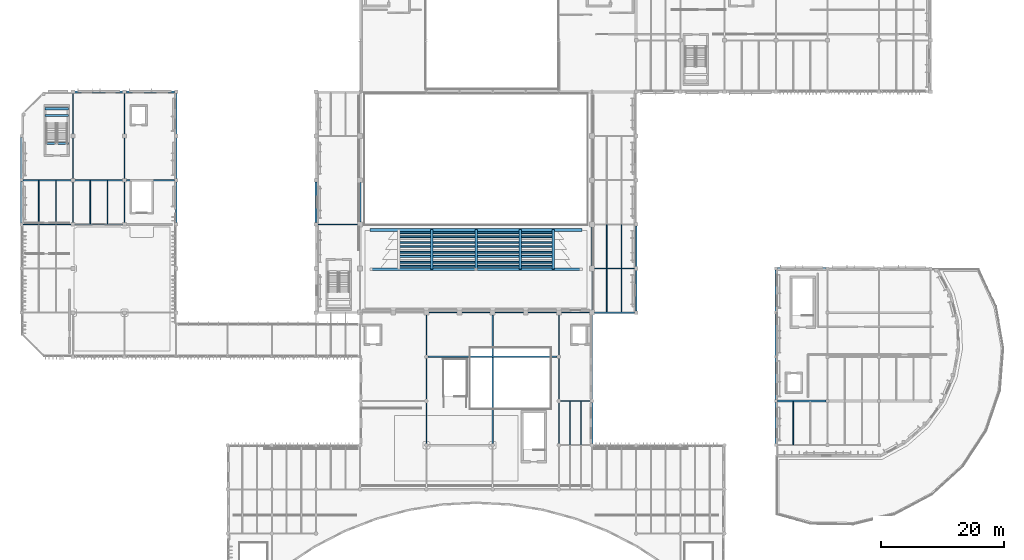
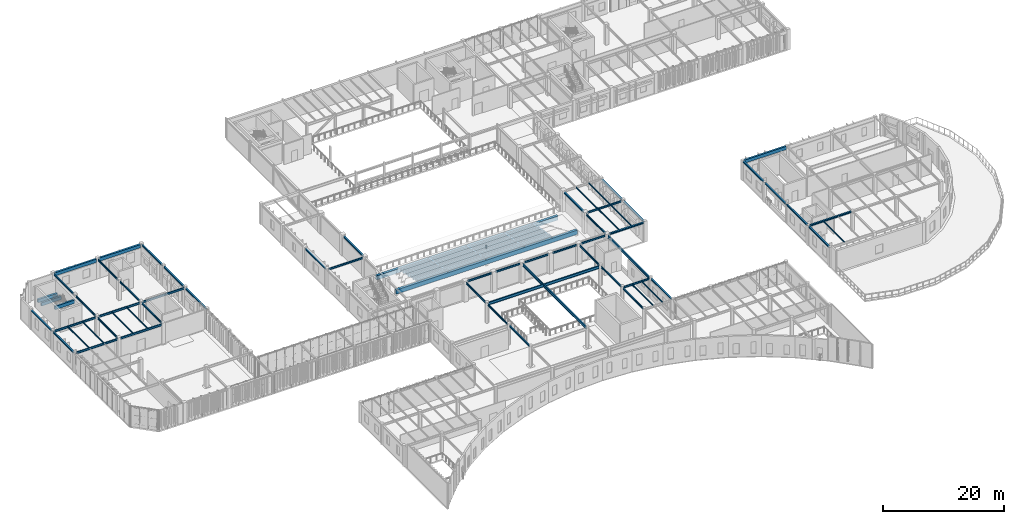
# One storey, part 13 of 104: 77 beams.
"""IFC4 building model written with IfcOpenShell, lengths in metres."""

from ifc_helpers import new_model, si_unit, direction, frame, origin, origin_2d, place, context, subcontext, project, spatial, rectangle, i_section, extrude, material, material_profile, profile_set, type_object, element, save


model = new_model("IFC4")

# Units and contexts
model_context = context("Model", 3, precision=1e-05, world=origin(), true_north=direction((0.0, 1.0)))
body_context = subcontext(model_context, "Body", "Model", "MODEL_VIEW")
ifc_project = project(units=[si_unit("LENGTHUNIT", "METRE"), si_unit("AREAUNIT", "SQUARE_METRE"), si_unit("VOLUMEUNIT", "CUBIC_METRE"), si_unit("PLANEANGLEUNIT", "RADIAN"), si_unit("MASSUNIT", "GRAM", prefix="KILO")], contexts=[model_context])

# Site, building, storey
site_placement = place(None, origin())
site = spatial("IfcSite", under=ifc_project, at=site_placement, CompositionType="ELEMENT")
building_placement = place(site_placement, origin())
building = spatial("IfcBuilding", under=site, at=building_placement, Name="Tazoul Stagehouse", CompositionType="ELEMENT")
storey_placement = place(building_placement, frame((0.0, 0.0, 9.0)))
storey = spatial("IfcBuildingStorey", under=building, at=storey_placement, Name="L02", CompositionType="ELEMENT", Elevation=9.0)

# Beams
ifc_material_1 = material(Name="Concrete C40/50", Category="concrete")
ifc_material_profile_1 = material_profile(ifc_material_1, rectangle(XDim=0.39990234375, YDim=0.75, at=origin_2d()), Name="RC 400x750")
ifc_profile_set_1 = profile_set([ifc_material_profile_1], Name="Concrete C40/50")
beam_type_1 = type_object("IfcBeamType", Name="RC Auditorium Raker Girder 400x750", PredefinedType="BEAM", material=ifc_profile_set_1)
for number, where, z_axis, x_axis, name in (
    (1, (69.300048828125, 65.300048828125, -0.219970703125), (0.0, -0.987536828698, 0.157388093469), (1.0, 0.0, 0.0), "RAKER V1-UPPER RB-01-02"),
    (2, (76.5, 65.300048828125, -0.219970703125), (0.0, -0.987536828698, 0.157388093469), (1.0, 0.0, 0.0), "RAKER V1-UPPER RB-01-03"),
    (3, (83.699951171875, 65.300048828125, -0.219970703125), (0.0, -0.987536828698, 0.157388093469), (1.0, 0.0, 0.0), "RAKER V1-UPPER RB-01-04"),
    (4, (89.10009765625, 65.300048828125, -0.219970703125), (0.0, -0.987536828698, 0.157388093469), (1.0, 0.0, 0.0), "RAKER V1-UPPER RB-01-05"),
):
    element("IfcBeam", number, at=place(storey_placement, frame(where, z_axis=z_axis, x_axis=x_axis)), inside=storey, type_object=beam_type_1, Name=name, PredefinedType="BEAM", context=body_context, shape_type="SweptSolid", body=[
        extrude(rectangle(XDim=0.39990234375, YDim=0.75, at=origin_2d()), origin(), (0.0, 0.0, 1.0), 6.48095703125),
    ])
ifc_material_profile_2 = material_profile(ifc_material_1, rectangle(XDim=0.35009765625, YDim=0.64990234375, at=origin_2d()), Name="RC 350x650")
ifc_profile_set_2 = profile_set([ifc_material_profile_2], Name="Concrete C40/50")
beam_type_2 = type_object("IfcBeamType", Name="RC Perimeter Spandrel 350x650 (Exterior)", PredefinedType="SPANDREL", material=ifc_profile_set_2)
beam_1_placement = place(storey_placement, frame((125.625, 59.0, 3.633056640625), z_axis=(1.0, 0.0, 0.0), x_axis=(0.0, 1.0, 0.0)))
element("IfcBeam", 5, at=beam_1_placement, inside=storey, type_object=beam_type_2, Name="L02 Beam SP-01E J/19-20", PredefinedType="SPANDREL", context=body_context, shape_type="SweptSolid", body=[
    extrude(rectangle(XDim=0.35009765625, YDim=0.64990234375, at=origin_2d()), origin(), (0.0, 0.0, 1.0), 7.949951171875),
])
beam_2_placement = place(storey_placement, frame((11.074951171875, 87.800048828125, 3.623046875), z_axis=(1.0, 0.0, 0.0), x_axis=(0.0, 1.0, 0.0)))
element("IfcBeam", 6, at=beam_2_placement, inside=storey, type_object=beam_type_2, Name="L02 Beam SP-01E N/2-3", PredefinedType="SPANDREL", context=body_context, shape_type="SweptSolid", body=[
    extrude(rectangle(XDim=0.35009765625, YDim=0.64990234375, at=origin_2d()), origin(), (0.0, 0.0, 1.0), 7.85009765625),
])
beam_3_placement = place(storey_placement, frame((19.47509765625, 87.800048828125, 3.623046875), z_axis=(1.0, 0.0, 0.0), x_axis=(0.0, 1.0, 0.0)))
element("IfcBeam", 7, at=beam_3_placement, inside=storey, type_object=beam_type_2, Name="L02 Beam SP-01E N/3-4", PredefinedType="SPANDREL", context=body_context, shape_type="SweptSolid", body=[
    extrude(rectangle(XDim=0.35009765625, YDim=0.64990234375, at=origin_2d()), origin(), (0.0, 0.0, 1.0), 7.849853515625),
])
ifc_material_profile_3 = material_profile(ifc_material_1, rectangle(XDim=0.35009765625, YDim=0.64990234375, at=origin_2d()), Name="RC 350x650")
ifc_profile_set_3 = profile_set([ifc_material_profile_3], Name="Concrete C40/50")
beam_type_3 = type_object("IfcBeamType", Name="RC Primary Girder 350x650", PredefinedType="BEAM", material=ifc_profile_set_3)
for number, where, z_axis, x_axis, name in (
    (8, (6.219970703125, 83.949951171875, 1.580078125), (1.0, 0.0, 0.0), (0.0, 1.0, 0.0), "L02 Stair Half-Landing Trimmer BM-01 (ST-06-1)"),
    (9, (6.219970703125, 85.050048828125, 1.580078125), (1.0, 0.0, 0.0), (0.0, 1.0, 0.0), "L02 Stair Half-Landing Trimmer BM-01 (ST-06-2)"),
    (10, (6.219970703125, 79.39990234375, 3.625), (1.0, 0.0, 0.0), (0.0, 1.0, 0.0), "L02 Stair Landing Trimmer BM-01 (ST-06-FL)"),
):
    element("IfcBeam", number, at=place(storey_placement, frame(where, z_axis=z_axis, x_axis=x_axis)), inside=storey, type_object=beam_type_3, Name=name, PredefinedType="BEAM", context=body_context, shape_type="SweptSolid", body=[
        extrude(rectangle(XDim=0.35009765625, YDim=0.64990234375, at=origin_2d()), origin(), (0.0, 0.0, 1.0), 3.81005859375),
    ])
ifc_material_profile_4 = material_profile(ifc_material_1, rectangle(XDim=0.449951171875, YDim=0.85009765625, at=origin_2d()), Name="RC 450x850")
ifc_profile_set_4 = profile_set([ifc_material_profile_4], Name="Concrete C40/50")
beam_type_4 = type_object("IfcBeamType", Name="RC Primary Girder 450x850", PredefinedType="BEAM", material=ifc_profile_set_4)
for number, where, z_axis, x_axis, name in (
    (11, (59.25, 65.300048828125, -0.2900390625), (1.0, 0.0, 0.0), (0.0, 1.0, 0.0), "L02 Bowl FRT Carrier Girder BM-03 (V1-UPPER)"),
    (12, (59.25, 58.89990234375, 0.72998046875), (1.0, 0.0, 0.0), (0.0, 1.0, 0.0), "L02 Bowl RER Carrier Girder BM-03 (V1-UPPER)"),
):
    element("IfcBeam", number, at=place(storey_placement, frame(where, z_axis=z_axis, x_axis=x_axis)), inside=storey, type_object=beam_type_4, Name=name, PredefinedType="BEAM", context=body_context, shape_type="SweptSolid", body=[
        extrude(rectangle(XDim=0.449951171875, YDim=0.85009765625, at=origin_2d()), origin(), (0.0, 0.0, 1.0), 34.5),
    ])
ifc_material_2 = material(Name="Concrete C35/45", Category="concrete")
ifc_material_profile_5 = material_profile(ifc_material_2, rectangle(XDim=0.300048828125, YDim=0.550048828125, at=origin_2d()), Name="RC 300x550")
ifc_profile_set_5 = profile_set([ifc_material_profile_5], Name="Concrete C35/45")
beam_type_5 = type_object("IfcBeamType", Name="RC Rib Joist 300x550", PredefinedType="JOIST", material=ifc_profile_set_5)
for number, where, z_axis, x_axis, name in (
    (13, (63.75, 64.179931640625, -0.139892578125), (1.0, 0.0, 0.0), (0.0, 1.0, 0.0), "L02 Tier Transverse Rib JS-06 (V1-UPPER-R01A)"),
    (14, (63.75, 64.85205078125, -0.139892578125), (1.0, 0.0, 0.0), (0.0, 1.0, 0.0), "L02 Tier Transverse Rib JS-06 (V1-UPPER-R01B)"),
    (15, (63.75, 62.580078125, 0.199951171875), (1.0, 0.0, 0.0), (0.0, 1.0, 0.0), "L02 Tier Transverse Rib JS-06 (V1-UPPER-R02A)"),
    (16, (63.75, 63.251953125, 0.199951171875), (1.0, 0.0, 0.0), (0.0, 1.0, 0.0), "L02 Tier Transverse Rib JS-06 (V1-UPPER-R02B)"),
    (17, (63.75, 60.97998046875, 0.5400390625), (1.0, 0.0, 0.0), (0.0, 1.0, 0.0), "L02 Tier Transverse Rib JS-06 (V1-UPPER-R03A)"),
    (18, (63.75, 61.652099609375, 0.5400390625), (1.0, 0.0, 0.0), (0.0, 1.0, 0.0), "L02 Tier Transverse Rib JS-06 (V1-UPPER-R03B)"),
    (19, (63.75, 59.3798828125, 0.8798828125), (1.0, 0.0, 0.0), (0.0, 1.0, 0.0), "L02 Tier Transverse Rib JS-06 (V1-UPPER-R04A)"),
    (20, (63.75, 60.052001953125, 0.8798828125), (1.0, 0.0, 0.0), (0.0, 1.0, 0.0), "L02 Tier Transverse Rib JS-06 (V1-UPPER-R04B)"),
):
    element("IfcBeam", number, at=place(storey_placement, frame(where, z_axis=z_axis, x_axis=x_axis)), inside=storey, type_object=beam_type_5, Name=name, PredefinedType="JOIST", context=body_context, shape_type="SweptSolid", body=[
        extrude(rectangle(XDim=0.300048828125, YDim=0.550048828125, at=origin_2d()), origin(), (0.0, 0.0, 1.0), 25.5),
    ])
ifc_material_3 = material(Name="Steel S355", Category="steel")
ifc_material_profile_6 = material_profile(ifc_material_3, i_section(OverallWidth=0.300048828125, OverallDepth=0.2900390625, WebThickness=0.008544921875, FlangeThickness=0.013916015625, FilletRadius=0.027099609375, at=origin_2d()), Name="HEA 300")
ifc_profile_set_6 = profile_set([ifc_material_profile_6], Name="Steel S355")
beam_type_6 = type_object("IfcBeamType", Name="Steel Crescent Spandrel HEA 300", PredefinedType="SPANDREL", material=ifc_profile_set_6)
beam_4_placement = place(storey_placement, frame((125.625, 37.39990234375, 3.81298828125), z_axis=(1.0, 0.0, 0.0), x_axis=(0.0, 1.0, 0.0)))
element("IfcBeam", 21, at=beam_4_placement, inside=storey, type_object=beam_type_6, Name="L02 Beam SP-03 F/19-20", PredefinedType="SPANDREL", context=body_context, shape_type="SweptSolid", body=[
    extrude(i_section(OverallWidth=0.300048828125, OverallDepth=0.2900390625, WebThickness=0.008544921875, FlangeThickness=0.013916015625, FilletRadius=0.027099609375, at=origin_2d()), origin(), (0.0, 0.0, 1.0), 7.949951171875),
])
ifc_material_profile_7 = material_profile(ifc_material_3, i_section(OverallWidth=0.300048828125, OverallDepth=0.2900390625, WebThickness=0.008544921875, FlangeThickness=0.013916015625, FilletRadius=0.027099609375, at=origin_2d()), Name="HEA 300")
ifc_profile_set_7 = profile_set([ifc_material_profile_7], Name="Steel S355")
beam_type_7 = type_object("IfcBeamType", Name="Steel Crescent Spandrel HEA 300 (Exterior)", PredefinedType="SPANDREL", material=ifc_profile_set_7)
beam_5_placement = place(storey_placement, frame((95.77490234375, 51.800048828125, 3.802978515625), z_axis=(1.0, 0.0, 0.0), x_axis=(0.0, 1.0, 0.0)))
element("IfcBeam", 22, at=beam_5_placement, inside=storey, type_object=beam_type_7, Name="L02 Beam SP-03E H/15-16", PredefinedType="SPANDREL", context=body_context, shape_type="SweptSolid", body=[
    extrude(i_section(OverallWidth=0.300048828125, OverallDepth=0.2900390625, WebThickness=0.008544921875, FlangeThickness=0.013916015625, FilletRadius=0.027099609375, at=origin_2d()), origin(), (0.0, 0.0, 1.0), 6.550048828125),
])
ifc_material_profile_8 = material_profile(ifc_material_3, i_section(OverallWidth=0.280029296875, OverallDepth=0.27001953125, WebThickness=0.008056640625, FlangeThickness=0.012939453125, FilletRadius=0.02392578125, at=origin_2d()), Name="HEA 280")
ifc_profile_set_8 = profile_set([ifc_material_profile_8], Name="Steel S355")
beam_type_8 = type_object("IfcBeamType", Name="Steel Facade Spandrel HEA 280 (Exterior)", PredefinedType="SPANDREL", material=ifc_profile_set_8)
for number, where, z_axis, x_axis, name in (
    (23, (2.39990234375, 66.425048828125, 3.81298828125), (0.0, 1.0, 0.0), (-1.0, 0.0, 0.0), "L02 Beam SP-02E 1/K-L"),
    (24, (2.39990234375, 73.625, 3.81298828125), (0.0, 1.0, 0.0), (-1.0, 0.0, 0.0), "L02 Beam SP-02E 1/L-M"),
):
    element("IfcBeam", number, at=place(storey_placement, frame(where, z_axis=z_axis, x_axis=x_axis)), inside=storey, type_object=beam_type_8, Name=name, PredefinedType="SPANDREL", context=body_context, shape_type="SweptSolid", body=[
        extrude(i_section(OverallWidth=0.280029296875, OverallDepth=0.27001953125, WebThickness=0.008056640625, FlangeThickness=0.012939453125, FilletRadius=0.02392578125, at=origin_2d()), origin(), (0.0, 0.0, 1.0), 6.75),
    ])
for number, where, z_axis, x_axis, name in (
    (25, (27.60009765625, 66.47509765625, 3.81298828125), (0.0, 1.0, 0.0), (-1.0, 0.0, 0.0), "L02 Beam SP-02E 4/K-L"),
    (26, (27.60009765625, 73.675048828125, 3.81298828125), (0.0, 1.0, 0.0), (-1.0, 0.0, 0.0), "L02 Beam SP-02E 4/L-M"),
    (27, (27.60009765625, 80.875, 3.81298828125), (0.0, 1.0, 0.0), (-1.0, 0.0, 0.0), "L02 Beam SP-02E 4/M-N"),
    (28, (50.39990234375, 66.47509765625, 3.81298828125), (0.0, 1.0, 0.0), (-1.0, 0.0, 0.0), "L02 Beam SP-02E 7/K-L"),
):
    element("IfcBeam", number, at=place(storey_placement, frame(where, z_axis=z_axis, x_axis=x_axis)), inside=storey, type_object=beam_type_8, Name=name, PredefinedType="SPANDREL", context=body_context, shape_type="SweptSolid", body=[
        extrude(i_section(OverallWidth=0.280029296875, OverallDepth=0.27001953125, WebThickness=0.008056640625, FlangeThickness=0.012939453125, FilletRadius=0.02392578125, at=origin_2d()), origin(), (0.0, 0.0, 1.0), 6.64990234375),
    ])
beam_6_placement = place(storey_placement, frame((57.60009765625, 66.574951171875, 3.81298828125), z_axis=(0.0, 1.0, 0.0), x_axis=(-1.0, 0.0, 0.0)))
element("IfcBeam", 29, at=beam_6_placement, inside=storey, type_object=beam_type_8, Name="L02 Beam SP-02E 8/K-L", PredefinedType="SPANDREL", context=body_context, shape_type="SweptSolid", body=[
    extrude(i_section(OverallWidth=0.280029296875, OverallDepth=0.27001953125, WebThickness=0.008056640625, FlangeThickness=0.012939453125, FilletRadius=0.02392578125, at=origin_2d()), origin(), (0.0, 0.0, 1.0), 6.449951171875),
])
beam_7_placement = place(storey_placement, frame((95.39990234375, 30.47509765625, 3.822998046875), z_axis=(0.0, 1.0, 0.0), x_axis=(-1.0, 0.0, 0.0)))
element("IfcBeam", 30, at=beam_7_placement, inside=storey, type_object=beam_type_8, Name="L02 Beam SP-02E 15/E-F", PredefinedType="SPANDREL", context=body_context, shape_type="SweptSolid", body=[
    extrude(i_section(OverallWidth=0.280029296875, OverallDepth=0.27001953125, WebThickness=0.008056640625, FlangeThickness=0.012939453125, FilletRadius=0.02392578125, at=origin_2d()), origin(), (0.0, 0.0, 1.0), 6.64990234375),
])
beam_8_placement = place(storey_placement, frame((95.39990234375, 59.375, 3.81298828125), z_axis=(0.0, 1.0, 0.0), x_axis=(-1.0, 0.0, 0.0)))
element("IfcBeam", 31, at=beam_8_placement, inside=storey, type_object=beam_type_8, Name="L02 Beam SP-02E 15/J-K", PredefinedType="SPANDREL", context=body_context, shape_type="SweptSolid", body=[
    extrude(i_section(OverallWidth=0.280029296875, OverallDepth=0.27001953125, WebThickness=0.008056640625, FlangeThickness=0.012939453125, FilletRadius=0.02392578125, at=origin_2d()), origin(), (0.0, 0.0, 1.0), 6.449951171875),
])
for number, where, z_axis, x_axis, name in (
    (32, (102.60009765625, 52.074951171875, 3.81298828125), (0.0, 1.0, 0.0), (-1.0, 0.0, 0.0), "L02 Beam SP-02E 16/H-J"),
    (33, (102.60009765625, 59.27490234375, 3.81298828125), (0.0, 1.0, 0.0), (-1.0, 0.0, 0.0), "L02 Beam SP-02E 16/J-K"),
):
    element("IfcBeam", number, at=place(storey_placement, frame(where, z_axis=z_axis, x_axis=x_axis)), inside=storey, type_object=beam_type_8, Name=name, PredefinedType="SPANDREL", context=body_context, shape_type="SweptSolid", body=[
        extrude(i_section(OverallWidth=0.280029296875, OverallDepth=0.27001953125, WebThickness=0.008056640625, FlangeThickness=0.012939453125, FilletRadius=0.02392578125, at=origin_2d()), origin(), (0.0, 0.0, 1.0), 6.650146484375),
    ])
beam_9_placement = place(storey_placement, frame((125.39990234375, 30.425048828125, 3.822998046875), z_axis=(0.0, 1.0, 0.0), x_axis=(-1.0, 0.0, 0.0)))
element("IfcBeam", 34, at=beam_9_placement, inside=storey, type_object=beam_type_8, Name="L02 Beam SP-02E 19/E-F", PredefinedType="SPANDREL", context=body_context, shape_type="SweptSolid", body=[
    extrude(i_section(OverallWidth=0.280029296875, OverallDepth=0.27001953125, WebThickness=0.008056640625, FlangeThickness=0.012939453125, FilletRadius=0.02392578125, at=origin_2d()), origin(), (0.0, 0.0, 1.0), 6.75),
])
beam_10_placement = place(storey_placement, frame((125.39990234375, 37.625, 3.822998046875), z_axis=(0.0, 1.0, 0.0), x_axis=(-1.0, 0.0, 0.0)))
element("IfcBeam", 35, at=beam_10_placement, inside=storey, type_object=beam_type_8, Name="L02 Beam SP-02E 19/F-G", PredefinedType="SPANDREL", context=body_context, shape_type="SweptSolid", body=[
    extrude(i_section(OverallWidth=0.280029296875, OverallDepth=0.27001953125, WebThickness=0.008056640625, FlangeThickness=0.012939453125, FilletRadius=0.02392578125, at=origin_2d()), origin(), (0.0, 0.0, 1.0), 6.838134765625),
])
beam_11_placement = place(storey_placement, frame((125.39990234375, 44.737060546875, 3.822998046875), z_axis=(0.0, 1.0, 0.0), x_axis=(-1.0, 0.0, 0.0)))
element("IfcBeam", 36, at=beam_11_placement, inside=storey, type_object=beam_type_8, Name="L02 Beam SP-02E 19/G-H", PredefinedType="SPANDREL", context=body_context, shape_type="SweptSolid", body=[
    extrude(i_section(OverallWidth=0.280029296875, OverallDepth=0.27001953125, WebThickness=0.008056640625, FlangeThickness=0.012939453125, FilletRadius=0.02392578125, at=origin_2d()), origin(), (0.0, 0.0, 1.0), 6.837890625),
])
beam_12_placement = place(storey_placement, frame((125.39990234375, 52.02490234375, 3.822998046875), z_axis=(0.0, 1.0, 0.0), x_axis=(-1.0, 0.0, 0.0)))
element("IfcBeam", 37, at=beam_12_placement, inside=storey, type_object=beam_type_8, Name="L02 Beam SP-02E 19/H-J", PredefinedType="SPANDREL", context=body_context, shape_type="SweptSolid", body=[
    extrude(i_section(OverallWidth=0.280029296875, OverallDepth=0.27001953125, WebThickness=0.008056640625, FlangeThickness=0.012939453125, FilletRadius=0.02392578125, at=origin_2d()), origin(), (0.0, 0.0, 1.0), 6.75),
])
ifc_material_profile_9 = material_profile(ifc_material_3, i_section(OverallWidth=0.1201171875, OverallDepth=0.239990234375, WebThickness=0.006103515625, FlangeThickness=0.009765625, FilletRadius=0.014892578125, at=origin_2d()), Name="IPE 240")
ifc_profile_set_9 = profile_set([ifc_material_profile_9], Name="Steel S355")
beam_type_9 = type_object("IfcBeamType", Name="Steel Floor Joist IPE 240", PredefinedType="JOIST", material=ifc_profile_set_9)
for number, where, z_axis, x_axis, name in (
    (38, (91.800048828125, 30.260009765625, 3.837890625), (0.0, 1.0, 0.0), (-1.0, 0.0, 0.0), "L02 Joist JS-01 14/E-1"),
    (39, (93.60009765625, 30.260009765625, 3.837890625), (0.0, 1.0, 0.0), (-1.0, 0.0, 0.0), "L02 Joist JS-01 14/E-2"),
):
    element("IfcBeam", number, at=place(storey_placement, frame(where, z_axis=z_axis, x_axis=x_axis)), inside=storey, type_object=beam_type_9, Name=name, PredefinedType="JOIST", context=body_context, shape_type="SweptSolid", body=[
        extrude(i_section(OverallWidth=0.1201171875, OverallDepth=0.239990234375, WebThickness=0.006103515625, FlangeThickness=0.009765625, FilletRadius=0.014892578125, at=origin_2d()), origin(), (0.0, 0.0, 1.0), 7.080078125),
    ])
beam_13_placement = place(storey_placement, frame((128.199951171875, 30.264892578125, 3.837890625), z_axis=(0.0, 1.0, 0.0), x_axis=(-1.0, 0.0, 0.0)))
element("IfcBeam", 40, at=beam_13_placement, inside=storey, type_object=beam_type_9, Name="L02 Joist JS-01 19/E-1", PredefinedType="JOIST", context=body_context, shape_type="SweptSolid", body=[
    extrude(i_section(OverallWidth=0.1201171875, OverallDepth=0.239990234375, WebThickness=0.006103515625, FlangeThickness=0.009765625, FilletRadius=0.014892578125, at=origin_2d()), origin(), (0.0, 0.0, 1.0), 7.010009765625),
])
for number, where, z_axis, x_axis, name in (
    (41, (97.800048828125, 51.925048828125, 3.827880859375), (0.0, 1.0, 0.0), (-1.0, 0.0, 0.0), "L02 Joist JS-01 15/H-1"),
    (42, (100.199951171875, 51.925048828125, 3.827880859375), (0.0, 1.0, 0.0), (-1.0, 0.0, 0.0), "L02 Joist JS-01 15/H-2"),
):
    element("IfcBeam", number, at=place(storey_placement, frame(where, z_axis=z_axis, x_axis=x_axis)), inside=storey, type_object=beam_type_9, Name=name, PredefinedType="JOIST", context=body_context, shape_type="SweptSolid", body=[
        extrude(i_section(OverallWidth=0.1201171875, OverallDepth=0.239990234375, WebThickness=0.006103515625, FlangeThickness=0.009765625, FilletRadius=0.014892578125, at=origin_2d()), origin(), (0.0, 0.0, 1.0), 7.014892578125),
    ])
for number, where, z_axis, x_axis, name in (
    (43, (97.800048828125, 59.06005859375, 3.827880859375), (0.0, 1.0, 0.0), (-1.0, 0.0, 0.0), "L02 Joist JS-01 15/J-1"),
    (44, (100.199951171875, 59.06005859375, 3.827880859375), (0.0, 1.0, 0.0), (-1.0, 0.0, 0.0), "L02 Joist JS-01 15/J-2"),
):
    element("IfcBeam", number, at=place(storey_placement, frame(where, z_axis=z_axis, x_axis=x_axis)), inside=storey, type_object=beam_type_9, Name=name, PredefinedType="JOIST", context=body_context, shape_type="SweptSolid", body=[
        extrude(i_section(OverallWidth=0.1201171875, OverallDepth=0.239990234375, WebThickness=0.006103515625, FlangeThickness=0.009765625, FilletRadius=0.014892578125, at=origin_2d()), origin(), (0.0, 0.0, 1.0), 7.079833984375),
    ])
for number, where, z_axis, x_axis, name in (
    (45, (5.199951171875, 66.264892578125, 3.827880859375), (0.0, 1.0, 0.0), (-1.0, 0.0, 0.0), "L02 Joist JS-01 1/K-1"),
    (46, (8.0, 66.264892578125, 3.827880859375), (0.0, 1.0, 0.0), (-1.0, 0.0, 0.0), "L02 Joist JS-01 1/K-2"),
    (47, (13.60009765625, 66.264892578125, 3.827880859375), (0.0, 1.0, 0.0), (-1.0, 0.0, 0.0), "L02 Joist JS-01 2/K-1"),
    (48, (16.39990234375, 66.264892578125, 3.827880859375), (0.0, 1.0, 0.0), (-1.0, 0.0, 0.0), "L02 Joist JS-01 2/K-2"),
):
    element("IfcBeam", number, at=place(storey_placement, frame(where, z_axis=z_axis, x_axis=x_axis)), inside=storey, type_object=beam_type_9, Name=name, PredefinedType="JOIST", context=body_context, shape_type="SweptSolid", body=[
        extrude(i_section(OverallWidth=0.1201171875, OverallDepth=0.239990234375, WebThickness=0.006103515625, FlangeThickness=0.009765625, FilletRadius=0.014892578125, at=origin_2d()), origin(), (0.0, 0.0, 1.0), 7.070068359375),
    ])
ifc_material_profile_10 = material_profile(ifc_material_3, i_section(OverallWidth=0.2099609375, OverallDepth=0.550048828125, WebThickness=0.010986328125, FlangeThickness=0.01708984375, FilletRadius=0.02392578125, at=origin_2d()), Name="IPE 550")
ifc_profile_set_10 = profile_set([ifc_material_profile_10], Name="Steel S355")
beam_type_10 = type_object("IfcBeamType", Name="Steel Hall Girder IPE 550", PredefinedType="BEAM", material=ifc_profile_set_10)
beam_14_placement = place(storey_placement, frame((68.675048828125, 44.60009765625, 3.68310546875), z_axis=(1.0, 0.0, 0.0), x_axis=(0.0, 1.0, 0.0)))
element("IfcBeam", 49, at=beam_14_placement, inside=storey, type_object=beam_type_10, Name="L02 Beam SB-05 G/10-14", PredefinedType="BEAM", context=body_context, shape_type="SweptSolid", body=[
    extrude(i_section(OverallWidth=0.2099609375, OverallDepth=0.550048828125, WebThickness=0.010986328125, FlangeThickness=0.01708984375, FilletRadius=0.02392578125, at=origin_2d()), origin(), (0.0, 0.0, 1.0), 21.050048828125),
])
beam_15_placement = place(storey_placement, frame((79.199951171875, 30.47509765625, 3.673095703125), z_axis=(0.0, 1.0, 0.0), x_axis=(-1.0, 0.0, 0.0)))
element("IfcBeam", 50, at=beam_15_placement, inside=storey, type_object=beam_type_10, Name="L02 Beam SB-05 12/E-H", PredefinedType="BEAM", context=body_context, shape_type="SweptSolid", body=[
    extrude(i_section(OverallWidth=0.2099609375, OverallDepth=0.550048828125, WebThickness=0.010986328125, FlangeThickness=0.01708984375, FilletRadius=0.02392578125, at=origin_2d()), origin(), (0.0, 0.0, 1.0), 20.949951171875),
])
ifc_material_profile_11 = material_profile(ifc_material_3, i_section(OverallWidth=0.2099609375, OverallDepth=0.550048828125, WebThickness=0.010986328125, FlangeThickness=0.01708984375, FilletRadius=0.02392578125, at=origin_2d()), Name="IPE 550")
ifc_profile_set_11 = profile_set([ifc_material_profile_11], Name="Steel S355")
beam_type_11 = type_object("IfcBeamType", Name="Steel Hall Girder IPE 550 (Exterior)", PredefinedType="BEAM", material=ifc_profile_set_11)
beam_16_placement = place(storey_placement, frame((95.39990234375, 37.675048828125, 3.673095703125), z_axis=(0.0, 1.0, 0.0), x_axis=(-1.0, 0.0, 0.0)))
element("IfcBeam", 51, at=beam_16_placement, inside=storey, type_object=beam_type_11, Name="L02 Beam SB-05E 15/F-H", PredefinedType="BEAM", context=body_context, shape_type="SweptSolid", body=[
    extrude(i_section(OverallWidth=0.2099609375, OverallDepth=0.550048828125, WebThickness=0.010986328125, FlangeThickness=0.01708984375, FilletRadius=0.02392578125, at=origin_2d()), origin(), (0.0, 0.0, 1.0), 13.75),
])
ifc_material_profile_12 = material_profile(ifc_material_3, i_section(OverallWidth=0.169921875, OverallDepth=0.360107421875, WebThickness=0.008056640625, FlangeThickness=0.0126953125, FilletRadius=0.01806640625, at=origin_2d()), Name="IPE 360")
ifc_profile_set_12 = profile_set([ifc_material_profile_12], Name="Steel S355")
beam_type_12 = type_object("IfcBeamType", Name="Steel Primary Girder IPE 360", PredefinedType="BEAM", material=ifc_profile_set_12)
beam_17_placement = place(storey_placement, frame((90.27490234375, 37.39990234375, 3.778076171875), z_axis=(1.0, 0.0, 0.0), x_axis=(0.0, 1.0, 0.0)))
element("IfcBeam", 52, at=beam_17_placement, inside=storey, type_object=beam_type_12, Name="L02 Beam SB-01 F/14-15", PredefinedType="BEAM", context=body_context, shape_type="SweptSolid", body=[
    extrude(i_section(OverallWidth=0.169921875, OverallDepth=0.360107421875, WebThickness=0.008056640625, FlangeThickness=0.0126953125, FilletRadius=0.01806640625, at=origin_2d()), origin(), (0.0, 0.0, 1.0), 4.85009765625),
])
beam_18_placement = place(storey_placement, frame((68.77490234375, 51.800048828125, 3.76806640625), z_axis=(1.0, 0.0, 0.0), x_axis=(0.0, 1.0, 0.0)))
element("IfcBeam", 53, at=beam_18_placement, inside=storey, type_object=beam_type_12, Name="L02 Beam SB-01 H/10-11", PredefinedType="BEAM", context=body_context, shape_type="SweptSolid", body=[
    extrude(i_section(OverallWidth=0.169921875, OverallDepth=0.360107421875, WebThickness=0.008056640625, FlangeThickness=0.0126953125, FilletRadius=0.01806640625, at=origin_2d()), origin(), (0.0, 0.0, 1.0), 4.650146484375),
])
beam_19_placement = place(storey_placement, frame((74.175048828125, 51.800048828125, 3.76806640625), z_axis=(1.0, 0.0, 0.0), x_axis=(0.0, 1.0, 0.0)))
element("IfcBeam", 54, at=beam_19_placement, inside=storey, type_object=beam_type_12, Name="L02 Beam SB-01 H/11-12", PredefinedType="BEAM", context=body_context, shape_type="SweptSolid", body=[
    extrude(i_section(OverallWidth=0.169921875, OverallDepth=0.360107421875, WebThickness=0.008056640625, FlangeThickness=0.0126953125, FilletRadius=0.01806640625, at=origin_2d()), origin(), (0.0, 0.0, 1.0), 4.64990234375),
])
beam_20_placement = place(storey_placement, frame((79.574951171875, 51.800048828125, 3.76806640625), z_axis=(1.0, 0.0, 0.0), x_axis=(0.0, 1.0, 0.0)))
element("IfcBeam", 55, at=beam_20_placement, inside=storey, type_object=beam_type_12, Name="L02 Beam SB-01 H/12-13", PredefinedType="BEAM", context=body_context, shape_type="SweptSolid", body=[
    extrude(i_section(OverallWidth=0.169921875, OverallDepth=0.360107421875, WebThickness=0.008056640625, FlangeThickness=0.0126953125, FilletRadius=0.01806640625, at=origin_2d()), origin(), (0.0, 0.0, 1.0), 4.650146484375),
])
for number, where, z_axis, x_axis, name in (
    (56, (84.97509765625, 51.800048828125, 3.76806640625), (1.0, 0.0, 0.0), (0.0, 1.0, 0.0), "L02 Beam SB-01 H/13-14"),
    (57, (90.375, 51.800048828125, 3.76806640625), (1.0, 0.0, 0.0), (0.0, 1.0, 0.0), "L02 Beam SB-01 H/14-15"),
):
    element("IfcBeam", number, at=place(storey_placement, frame(where, z_axis=z_axis, x_axis=x_axis)), inside=storey, type_object=beam_type_12, Name=name, PredefinedType="BEAM", context=body_context, shape_type="SweptSolid", body=[
        extrude(i_section(OverallWidth=0.169921875, OverallDepth=0.360107421875, WebThickness=0.008056640625, FlangeThickness=0.0126953125, FilletRadius=0.01806640625, at=origin_2d()), origin(), (0.0, 0.0, 1.0), 4.64990234375),
    ])
for number, where, z_axis, x_axis, name in (
    (58, (95.77490234375, 59.0, 3.76806640625), (1.0, 0.0, 0.0), (0.0, 1.0, 0.0), "L02 Beam SB-01 J/15-16"),
    (59, (50.675048828125, 66.199951171875, 3.76806640625), (1.0, 0.0, 0.0), (0.0, 1.0, 0.0), "L02 Beam SB-01 K/7-8"),
):
    element("IfcBeam", number, at=place(storey_placement, frame(where, z_axis=z_axis, x_axis=x_axis)), inside=storey, type_object=beam_type_12, Name=name, PredefinedType="BEAM", context=body_context, shape_type="SweptSolid", body=[
        extrude(i_section(OverallWidth=0.169921875, OverallDepth=0.360107421875, WebThickness=0.008056640625, FlangeThickness=0.0126953125, FilletRadius=0.01806640625, at=origin_2d()), origin(), (0.0, 0.0, 1.0), 6.550048828125),
    ])
for number, where, z_axis, x_axis, name in (
    (60, (10.800048828125, 66.47509765625, 3.76806640625), (0.0, 1.0, 0.0), (-1.0, 0.0, 0.0), "L02 Beam SB-01 2/K-L"),
    (61, (10.800048828125, 73.675048828125, 3.76806640625), (0.0, 1.0, 0.0), (-1.0, 0.0, 0.0), "L02 Beam SB-01 2/L-M"),
    (62, (10.800048828125, 80.875, 3.76806640625), (0.0, 1.0, 0.0), (-1.0, 0.0, 0.0), "L02 Beam SB-01 2/M-N"),
    (63, (19.199951171875, 66.47509765625, 3.76806640625), (0.0, 1.0, 0.0), (-1.0, 0.0, 0.0), "L02 Beam SB-01 3/K-L"),
    (64, (19.199951171875, 73.675048828125, 3.76806640625), (0.0, 1.0, 0.0), (-1.0, 0.0, 0.0), "L02 Beam SB-01 3/L-M"),
    (65, (19.199951171875, 80.875, 3.76806640625), (0.0, 1.0, 0.0), (-1.0, 0.0, 0.0), "L02 Beam SB-01 3/M-N"),
    (66, (68.39990234375, 30.47509765625, 3.778076171875), (0.0, 1.0, 0.0), (-1.0, 0.0, 0.0), "L02 Beam SB-01 10/E-F"),
    (67, (68.39990234375, 37.675048828125, 3.778076171875), (0.0, 1.0, 0.0), (-1.0, 0.0, 0.0), "L02 Beam SB-01 10/F-G"),
):
    element("IfcBeam", number, at=place(storey_placement, frame(where, z_axis=z_axis, x_axis=x_axis)), inside=storey, type_object=beam_type_12, Name=name, PredefinedType="BEAM", context=body_context, shape_type="SweptSolid", body=[
        extrude(i_section(OverallWidth=0.169921875, OverallDepth=0.360107421875, WebThickness=0.008056640625, FlangeThickness=0.0126953125, FilletRadius=0.01806640625, at=origin_2d()), origin(), (0.0, 0.0, 1.0), 6.64990234375),
    ])
beam_21_placement = place(storey_placement, frame((68.39990234375, 44.875, 3.76806640625), z_axis=(0.0, 1.0, 0.0), x_axis=(-1.0, 0.0, 0.0)))
element("IfcBeam", 68, at=beam_21_placement, inside=storey, type_object=beam_type_12, Name="L02 Beam SB-01 10/G-H", PredefinedType="BEAM", context=body_context, shape_type="SweptSolid", body=[
    extrude(i_section(OverallWidth=0.169921875, OverallDepth=0.360107421875, WebThickness=0.008056640625, FlangeThickness=0.0126953125, FilletRadius=0.01806640625, at=origin_2d()), origin(), (0.0, 0.0, 1.0), 6.550048828125),
])
for number, where, z_axis, x_axis, name in (
    (69, (90.0, 30.47509765625, 3.778076171875), (0.0, 1.0, 0.0), (-1.0, 0.0, 0.0), "L02 Beam SB-01 14/E-F"),
    (70, (90.0, 37.675048828125, 3.778076171875), (0.0, 1.0, 0.0), (-1.0, 0.0, 0.0), "L02 Beam SB-01 14/F-G"),
):
    element("IfcBeam", number, at=place(storey_placement, frame(where, z_axis=z_axis, x_axis=x_axis)), inside=storey, type_object=beam_type_12, Name=name, PredefinedType="BEAM", context=body_context, shape_type="SweptSolid", body=[
        extrude(i_section(OverallWidth=0.169921875, OverallDepth=0.360107421875, WebThickness=0.008056640625, FlangeThickness=0.0126953125, FilletRadius=0.01806640625, at=origin_2d()), origin(), (0.0, 0.0, 1.0), 6.64990234375),
    ])
beam_22_placement = place(storey_placement, frame((90.0, 44.875, 3.76806640625), z_axis=(0.0, 1.0, 0.0), x_axis=(-1.0, 0.0, 0.0)))
element("IfcBeam", 71, at=beam_22_placement, inside=storey, type_object=beam_type_12, Name="L02 Beam SB-01 14/G-H", PredefinedType="BEAM", context=body_context, shape_type="SweptSolid", body=[
    extrude(i_section(OverallWidth=0.169921875, OverallDepth=0.360107421875, WebThickness=0.008056640625, FlangeThickness=0.0126953125, FilletRadius=0.01806640625, at=origin_2d()), origin(), (0.0, 0.0, 1.0), 6.550048828125),
])
beam_23_placement = place(storey_placement, frame((95.39990234375, 52.175048828125, 3.76806640625), z_axis=(0.0, 1.0, 0.0), x_axis=(-1.0, 0.0, 0.0)))
element("IfcBeam", 72, at=beam_23_placement, inside=storey, type_object=beam_type_12, Name="L02 Beam SB-01 15/H-J", PredefinedType="BEAM", context=body_context, shape_type="SweptSolid", body=[
    extrude(i_section(OverallWidth=0.169921875, OverallDepth=0.360107421875, WebThickness=0.008056640625, FlangeThickness=0.0126953125, FilletRadius=0.01806640625, at=origin_2d()), origin(), (0.0, 0.0, 1.0), 6.449951171875),
])
ifc_material_profile_13 = material_profile(ifc_material_3, i_section(OverallWidth=0.179931640625, OverallDepth=0.39990234375, WebThickness=0.008544921875, FlangeThickness=0.013427734375, FilletRadius=0.02099609375, at=origin_2d()), Name="IPE 400")
ifc_profile_set_13 = profile_set([ifc_material_profile_13], Name="Steel S355")
beam_type_13 = type_object("IfcBeamType", Name="Steel Primary Girder IPE 400", PredefinedType="BEAM", material=ifc_profile_set_13)
beam_24_placement = place(storey_placement, frame((2.625, 66.199951171875, 3.748046875), z_axis=(1.0, 0.0, 0.0), x_axis=(0.0, 1.0, 0.0)))
element("IfcBeam", 73, at=beam_24_placement, inside=storey, type_object=beam_type_13, Name="L02 Beam SB-02 K/1-2", PredefinedType="BEAM", context=body_context, shape_type="SweptSolid", body=[
    extrude(i_section(OverallWidth=0.179931640625, OverallDepth=0.39990234375, WebThickness=0.008544921875, FlangeThickness=0.013427734375, FilletRadius=0.02099609375, at=origin_2d()), origin(), (0.0, 0.0, 1.0), 7.89990234375),
])
beam_25_placement = place(storey_placement, frame((11.074951171875, 66.199951171875, 3.748046875), z_axis=(1.0, 0.0, 0.0), x_axis=(0.0, 1.0, 0.0)))
element("IfcBeam", 74, at=beam_25_placement, inside=storey, type_object=beam_type_13, Name="L02 Beam SB-02 K/2-3", PredefinedType="BEAM", context=body_context, shape_type="SweptSolid", body=[
    extrude(i_section(OverallWidth=0.179931640625, OverallDepth=0.39990234375, WebThickness=0.008544921875, FlangeThickness=0.013427734375, FilletRadius=0.02099609375, at=origin_2d()), origin(), (0.0, 0.0, 1.0), 7.85009765625),
])
beam_26_placement = place(storey_placement, frame((2.625, 73.39990234375, 3.748046875), z_axis=(1.0, 0.0, 0.0), x_axis=(0.0, 1.0, 0.0)))
element("IfcBeam", 75, at=beam_26_placement, inside=storey, type_object=beam_type_13, Name="L02 Beam SB-02 L/1-2", PredefinedType="BEAM", context=body_context, shape_type="SweptSolid", body=[
    extrude(i_section(OverallWidth=0.179931640625, OverallDepth=0.39990234375, WebThickness=0.008544921875, FlangeThickness=0.013427734375, FilletRadius=0.02099609375, at=origin_2d()), origin(), (0.0, 0.0, 1.0), 7.89990234375),
])
beam_27_placement = place(storey_placement, frame((11.074951171875, 73.39990234375, 3.748046875), z_axis=(1.0, 0.0, 0.0), x_axis=(0.0, 1.0, 0.0)))
element("IfcBeam", 76, at=beam_27_placement, inside=storey, type_object=beam_type_13, Name="L02 Beam SB-02 L/2-3", PredefinedType="BEAM", context=body_context, shape_type="SweptSolid", body=[
    extrude(i_section(OverallWidth=0.179931640625, OverallDepth=0.39990234375, WebThickness=0.008544921875, FlangeThickness=0.013427734375, FilletRadius=0.02099609375, at=origin_2d()), origin(), (0.0, 0.0, 1.0), 7.85009765625),
])
beam_28_placement = place(storey_placement, frame((19.47509765625, 73.39990234375, 3.748046875), z_axis=(1.0, 0.0, 0.0), x_axis=(0.0, 1.0, 0.0)))
element("IfcBeam", 77, at=beam_28_placement, inside=storey, type_object=beam_type_13, Name="L02 Beam SB-02 L/3-4", PredefinedType="BEAM", context=body_context, shape_type="SweptSolid", body=[
    extrude(i_section(OverallWidth=0.179931640625, OverallDepth=0.39990234375, WebThickness=0.008544921875, FlangeThickness=0.013427734375, FilletRadius=0.02099609375, at=origin_2d()), origin(), (0.0, 0.0, 1.0), 7.849853515625),
])

save(model, "model.ifc")
